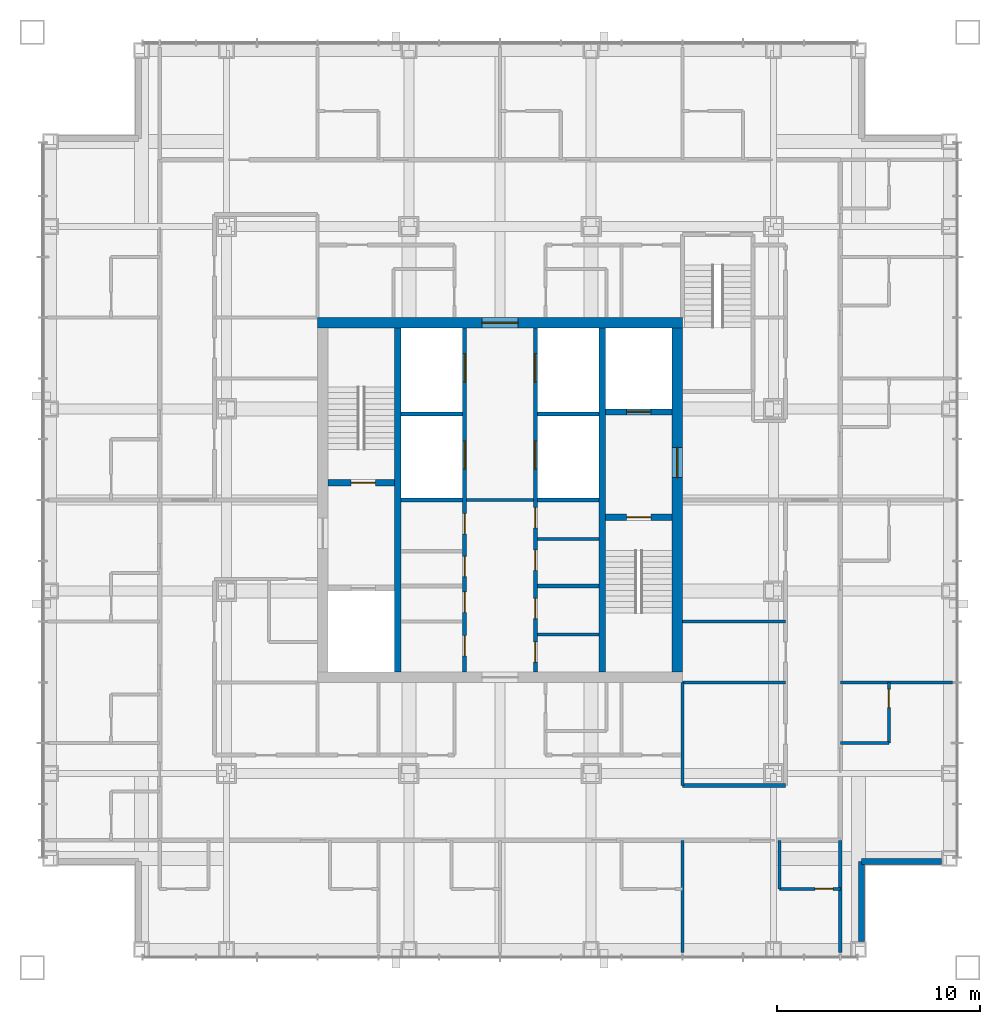
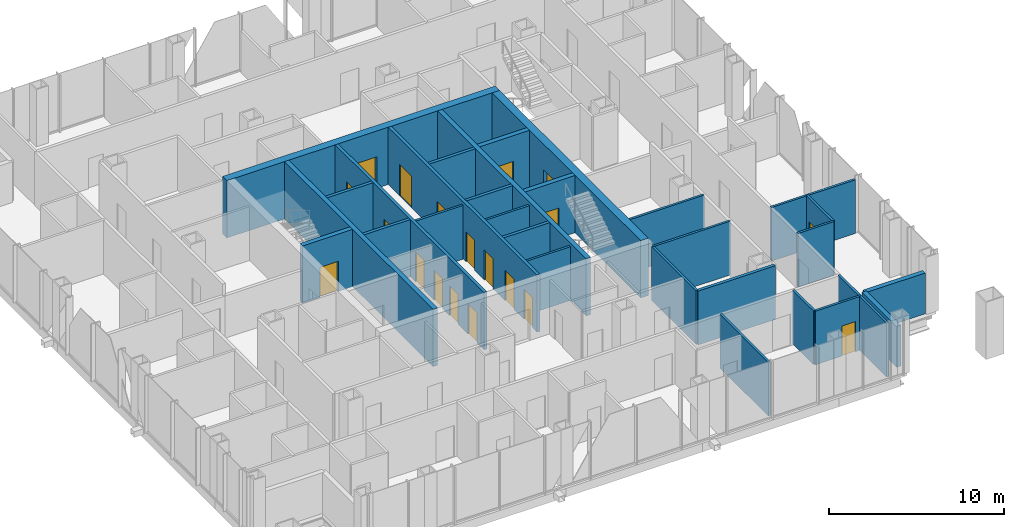
# One storey, part 9 of 17: 30 walls, 19 doors, 19 openings.
"""IFC4 building model written with IfcOpenShell, lengths in metres."""

import ifcopenshell
import ifcopenshell.guid

model = None  # the IFC model being written
_history = None  # IfcOwnerHistory: only IFC2X3 demands one
_inside = {}  # id of a spatial element -> (the spatial element, [elements in it])
_under = {}  # id of a project, library or spatial element -> (it, [spatial elements below it])
_declared = {}  # id of a project -> (the project, [libraries it declares])
_typed = {}  # id of a type object -> (the type object, [elements of that type])
_made_of = {}  # id of a material, layer set ... -> (it, [elements and type objects made of it])


def new_model(schema):
    """Start an empty IFC model of exactly this schema.

    Asked for "IFC4X3", IfcOpenShell would pick the latest addendum, in which some entities
    have other attributes; the version numbers below select the first issue.
    IFC2X3 requires an IfcOwnerHistory on every rooted entity: one is made here for all.
    """
    global model, _history
    if schema == "IFC4X3":
        model = ifcopenshell.file(schema_version=(4, 3, 0, 0))
    else:
        model = ifcopenshell.file(schema=schema)
    _inside.clear()
    _under.clear()
    _declared.clear()
    _typed.clear()
    _made_of.clear()
    _history = None
    if model.schema == "IFC2X3":
        org = make("IfcOrganization", Name="unknown")
        user = make(
            "IfcPersonAndOrganization",
            ThePerson=make("IfcPerson", FamilyName="unknown"),
            TheOrganization=org,
        )
        app = make(
            "IfcApplication",
            ApplicationDeveloper=org,
            Version="unknown",
            ApplicationFullName="unknown",
            ApplicationIdentifier="unknown",
        )
        _history = make(
            "IfcOwnerHistory",
            OwningUser=user,
            OwningApplication=app,
            ChangeAction="ADDED",
            CreationDate=0,
        )
    return model


def make(cls, **values):
    """One entity of the class cls with the attributes given. An attribute that is None is left unset."""
    return model.create_entity(
        cls, **{name: value for name, value in values.items() if value is not None}
    )


def rooted(cls, **values):
    """An entity with a GlobalId (a new one), such as an element, a storey or a relation."""
    return make(cls, GlobalId=ifcopenshell.guid.new(), OwnerHistory=_history, **values)


def si_unit(unit_type, name, prefix=None):
    """IfcSIUnit, for example si_unit("LENGTHUNIT", "METRE", prefix="MILLI")."""
    return make("IfcSIUnit", UnitType=unit_type, Prefix=prefix, Name=name)


def assignment(units):
    """IfcUnitAssignment: the units of a project."""
    return None if units is None else make("IfcUnitAssignment", Units=units)


def point(xyz):
    """IfcCartesianPoint."""
    return None if xyz is None else make("IfcCartesianPoint", Coordinates=xyz)


def direction(xyz):
    """IfcDirection."""
    return None if xyz is None else make("IfcDirection", DirectionRatios=xyz)


def frame(location, z_axis=None, x_axis=None):
    """IfcAxis2Placement3D, a coordinate frame: its origin and axes. An axis left out is left unset."""
    return make(
        "IfcAxis2Placement3D",
        Location=point(location),
        Axis=direction(z_axis),
        RefDirection=direction(x_axis),
    )


def frame_2d(location, x_axis=None):
    """IfcAxis2Placement2D, a coordinate frame in the plane: its origin and x axis."""
    return make(
        "IfcAxis2Placement2D", Location=point(location), RefDirection=direction(x_axis)
    )


def origin():
    """The frame at (0, 0, 0) with its axes left unset."""
    return frame((0.0, 0.0, 0.0))


def place(relative_to, where):
    """IfcLocalPlacement: puts the frame where relative to a parent placement (None: the world)."""
    return make(
        "IfcLocalPlacement", PlacementRelTo=relative_to, RelativePlacement=where
    )


def context(
    kind, dimensions, precision=None, world=None, true_north=None, identifier=None
):
    """IfcGeometricRepresentationContext, for example the 3D "Model" context."""
    return make(
        "IfcGeometricRepresentationContext",
        ContextIdentifier=identifier,
        ContextType=kind,
        CoordinateSpaceDimension=dimensions,
        Precision=precision,
        WorldCoordinateSystem=world,
        TrueNorth=true_north,
    )


def subcontext(parent, identifier, kind, view, scale=None):
    """IfcGeometricRepresentationSubContext, for example "Body" below "Model"."""
    return make(
        "IfcGeometricRepresentationSubContext",
        ContextIdentifier=identifier,
        ContextType=kind,
        ParentContext=parent,
        TargetScale=scale,
        TargetView=view,
    )


def project(units=None, contexts=None):
    """IfcProject with its units and contexts."""
    return rooted(
        "IfcProject",
        Name="project",
        RepresentationContexts=contexts,
        UnitsInContext=assignment(units),
    )


def spatial(cls, under=None, at=None, **own):
    """A site, building, storey or space (cls), placed at a placement, below another one or the project."""
    s = rooted(cls, ObjectPlacement=at, **own)
    if under is not None:
        _under.setdefault(under.id(), (under, []))[1].append(s)
    return s


def profile(cls, at=None, kind="AREA", **sizes):
    """A parametric profile (cls). Its sizes go by their IFC names, for example OverallWidth=200.0."""
    return make(cls, ProfileType=kind, Position=at, **sizes)


def rectangle(**sizes):
    """IfcRectangleProfileDef."""
    return profile("IfcRectangleProfileDef", **sizes)


def extrude(swept, where, along, depth):
    """IfcExtrudedAreaSolid: the profile swept, set in the frame where, extruded along a direction by depth."""
    return make(
        "IfcExtrudedAreaSolid",
        SweptArea=swept,
        Position=where,
        ExtrudedDirection=direction(along),
        Depth=depth,
    )


def shape(context_of_items, identifier, shape_type, items):
    """IfcShapeRepresentation: the items that make up one representation, for example the "Body"."""
    return make(
        "IfcShapeRepresentation",
        ContextOfItems=context_of_items,
        RepresentationIdentifier=identifier,
        RepresentationType=shape_type,
        Items=items,
    )


def material(Name=None, Category=None):
    """IfcMaterial."""
    return make("IfcMaterial", Name=Name, Category=Category)


def layer(
    of_material, thickness, ventilated=None, Name=None, Category=None, Priority=None
):
    """IfcMaterialLayer: one layer of a wall or slab, of a material (None: an air gap)."""
    return make(
        "IfcMaterialLayer",
        Material=of_material,
        LayerThickness=thickness,
        IsVentilated=ventilated,
        Name=Name,
        Category=Category,
        Priority=Priority,
    )


def layer_set(layers, Name=None):
    """IfcMaterialLayerSet."""
    return make("IfcMaterialLayerSet", MaterialLayers=layers, LayerSetName=Name)


def made_of(thing, what):
    """Note that an element or type object is made of a material, layer set ...; save() writes the relation."""
    if what is not None:
        _made_of.setdefault(what.id(), (what, []))[1].append(thing)
    return thing


def type_object(cls, material=None, **own):
    """A type object (cls), such as IfcWallType, which elements share."""
    return made_of(rooted(cls, **own), material)


def element(
    cls,
    number,
    at=None,
    inside=None,
    cuts=None,
    type_object=None,
    material=None,
    context=None,
    identifier="Body",
    shape_type=None,
    held_by="IfcProductDefinitionShape",
    body=None,
    shapes=None,
    **own,
):
    """One element of the class cls, such as IfcWall. Its Tag is "e" and its number.

    at: its placement. inside: the storey or other place that contains it. cuts: it is an
    opening in that element (IfcRelVoidsElement). A single representation is given by context,
    identifier, shape_type and body (its items); several are given by shapes. held_by: the class
    of the entity that holds the representations. save() writes the other relations.
    """
    e = rooted(cls, Tag="e%d" % number, ObjectPlacement=at, **own)
    if body is not None:
        shapes = [shape(context, identifier, shape_type, body)]
    if shapes is not None:
        e.Representation = make(held_by, Representations=shapes)
    if inside is not None:
        _inside.setdefault(inside.id(), (inside, []))[1].append(e)
    if cuts is not None:
        rooted(
            "IfcRelVoidsElement", RelatingBuildingElement=cuts, RelatedOpeningElement=e
        )
    if type_object is not None:
        _typed.setdefault(type_object.id(), (type_object, []))[1].append(e)
    return made_of(e, material)


def fill(opening, filler):
    """IfcRelFillsElement: the door or window that sits in an opening."""
    return rooted(
        "IfcRelFillsElement",
        RelatingOpeningElement=opening,
        RelatedBuildingElement=filler,
    )


def aggregate(whole, parts):
    """IfcRelAggregates: a whole, such as a stair, and the parts it consists of."""
    return rooted("IfcRelAggregates", RelatingObject=whole, RelatedObjects=parts)


def save(model, path):
    """Write the relations noted so far, then the file.

    IfcRelAggregates (storeys below a building ...), IfcRelContainedInSpatialStructure (elements
    in a storey), IfcRelDefinesByType, IfcRelAssociatesMaterial and IfcRelDeclares: one each for
    every whole, place, type object, material and project.
    """
    for whole, parts in _under.values():
        aggregate(whole, parts)
    for where, things in _inside.values():
        rooted(
            "IfcRelContainedInSpatialStructure",
            RelatedElements=things,
            RelatingStructure=where,
        )
    for kind, things in _typed.values():
        rooted("IfcRelDefinesByType", RelatedObjects=things, RelatingType=kind)
    for what, things in _made_of.values():
        rooted("IfcRelAssociatesMaterial", RelatedObjects=things, RelatingMaterial=what)
    for by, libraries in _declared.values():
        rooted("IfcRelDeclares", RelatingContext=by, RelatedDefinitions=libraries)
    model.write(path)


model = new_model("IFC4")

# Units and contexts
model_context = context("Model", 3, precision=1e-05, world=origin(), true_north=direction((0.0, 1.0)))
body_context = subcontext(model_context, "Body", "Model", "MODEL_VIEW")
ifc_project = project(units=[si_unit("LENGTHUNIT", "METRE"), si_unit("AREAUNIT", "SQUARE_METRE"), si_unit("VOLUMEUNIT", "CUBIC_METRE"), si_unit("PLANEANGLEUNIT", "RADIAN"), si_unit("MASSUNIT", "GRAM", prefix="KILO")], contexts=[model_context])

# Site, building, storey
site_placement = place(None, origin())
site = spatial("IfcSite", under=ifc_project, at=site_placement, CompositionType="ELEMENT")
building_placement = place(site_placement, origin())
building = spatial("IfcBuilding", under=site, at=building_placement, Name="Malebo Sky Hospital", CompositionType="ELEMENT")
storey_placement = place(building_placement, frame((0.0, 0.0, 237.0)))
storey = spatial("IfcBuildingStorey", under=building, at=storey_placement, Name="L57", CompositionType="ELEMENT", Elevation=237.0)

# Wall, openings, doors
ifc_material_1 = material(Name="Concrete C80/95", Category="concrete")
ifc_layer_1 = layer(ifc_material_1, 0.199951171875)
ifc_layer_set_1 = layer_set([ifc_layer_1], Name="CORE INNER WALL 200")
wall_type_1 = type_object("IfcWallType", Name="CORE INNER WALL 200", PredefinedType="SHEAR", material=ifc_layer_set_1)
wall_1_placement = place(storey_placement, frame((58.25, 53.5, 0.0), z_axis=(0.0, 0.0, 1.0), x_axis=(0.0, 1.0, 0.0)))
wall_1 = element("IfcWall", 1, at=wall_1_placement, inside=storey, type_object=wall_type_1, Name="Core wall LW L57", PredefinedType="SHEAR", context=body_context, shape_type="SweptSolid", body=[
    extrude(rectangle(XDim=17.0, YDim=0.199951171875, at=frame_2d((8.5, 0.0))), origin(), (0.0, 0.0, 1.0), 4.0),
])
opening_1_placement = place(wall_1_placement, frame((0.8076171875, 0.0, 0.0)))
opening_1 = element("IfcOpeningElement", 2, at=opening_1_placement, cuts=wall_1, Name="Opening D17", PredefinedType="OPENING", context=body_context, shape_type="SweptSolid", body=[
    extrude(rectangle(XDim=1.0, YDim=2.10009765625, at=frame_2d((0.5, 1.050048828125))), frame((0.0, 0.10986328125, 0.0), z_axis=(0.0, -1.0, 0.0), x_axis=(1.0, 0.0, 0.0)), (0.0, 0.0, 1.0), 0.219970703125),
])
opening_2_placement = place(wall_1_placement, frame((2.95751953125, 0.0, 0.0)))
opening_2 = element("IfcOpeningElement", 3, at=opening_2_placement, cuts=wall_1, Name="Opening D17", PredefinedType="OPENING", context=body_context, shape_type="SweptSolid", body=[
    extrude(rectangle(XDim=1.0, YDim=2.10009765625, at=frame_2d((0.5, 1.050048828125))), frame((0.0, 0.10986328125, 0.0), z_axis=(0.0, -1.0, 0.0), x_axis=(1.0, 0.0, 0.0)), (0.0, 0.0, 1.0), 0.219970703125),
])
opening_3_placement = place(wall_1_placement, frame((4.722412109375, 0.0, 0.0)))
opening_3 = element("IfcOpeningElement", 4, at=opening_3_placement, cuts=wall_1, Name="Opening D17", PredefinedType="OPENING", context=body_context, shape_type="SweptSolid", body=[
    extrude(rectangle(XDim=1.0, YDim=2.10009765625, at=frame_2d((0.5, 1.050048828125))), frame((0.0, 0.10986328125, 0.0), z_axis=(0.0, -1.0, 0.0), x_axis=(1.0, 0.0, 0.0)), (0.0, 0.0, 1.0), 0.219970703125),
])
opening_4_placement = place(wall_1_placement, frame((6.822509765625, 0.0, 0.0)))
opening_4 = element("IfcOpeningElement", 5, at=opening_4_placement, cuts=wall_1, Name="Opening D17", PredefinedType="OPENING", context=body_context, shape_type="SweptSolid", body=[
    extrude(rectangle(XDim=1.0, YDim=2.10009765625, at=frame_2d((0.5, 1.050048828125))), frame((0.0, 0.10986328125, 0.0), z_axis=(0.0, -1.0, 0.0), x_axis=(1.0, 0.0, 0.0)), (0.0, 0.0, 1.0), 0.219970703125),
])
opening_5_placement = place(wall_1_placement, frame((10.02490234375, 0.0, 0.0)))
opening_5 = element("IfcOpeningElement", 6, at=opening_5_placement, cuts=wall_1, Name="Opening LD1", PredefinedType="OPENING", context=body_context, shape_type="SweptSolid", body=[
    extrude(rectangle(XDim=1.39990234375, YDim=2.199951171875, at=frame_2d((0.699951171875, 1.10009765625))), frame((0.0, 0.10986328125, 0.0), z_axis=(0.0, -1.0, 0.0), x_axis=(1.0, 0.0, 0.0)), (0.0, 0.0, 1.0), 0.219970703125),
])
opening_6_placement = place(wall_1_placement, frame((14.324951171875, 0.0, 0.0)))
opening_6 = element("IfcOpeningElement", 7, at=opening_6_placement, cuts=wall_1, Name="Opening LD1", PredefinedType="OPENING", context=body_context, shape_type="SweptSolid", body=[
    extrude(rectangle(XDim=1.39990234375, YDim=2.199951171875, at=frame_2d((0.699951171875, 1.10009765625))), frame((0.0, 0.10986328125, 0.0), z_axis=(0.0, -1.0, 0.0), x_axis=(1.0, 0.0, 0.0)), (0.0, 0.0, 1.0), 0.219970703125),
])
ifc_material_2 = material(Name="Hardwood-faced door leaf in steel frame", Category="steel")
door_type_1 = type_object("IfcDoorType", Name="FIRE DOOR 1000", OperationType="SINGLE_SWING_LEFT", PredefinedType="DOOR", material=ifc_material_2)
door_1_placement = place(opening_1_placement, origin())
door_1 = element("IfcDoor", 8, at=door_1_placement, inside=storey, type_object=door_type_1, Name="Records store door", OperationType="SINGLE_SWING_RIGHT", OverallHeight=2.10009765625, OverallWidth=1.0, PredefinedType="DOOR", context=body_context, shape_type="SweptSolid", body=[
    extrude(rectangle(XDim=1.0, YDim=2.10009765625, at=frame_2d((0.5, 1.050048828125))), frame((0.0, 0.02490234375, 0.0), z_axis=(0.0, -1.0, 0.0), x_axis=(1.0, 0.0, 0.0)), (0.0, 0.0, 1.0), 0.050048828125),
])
fill(opening_1, door_1)
door_2_placement = place(opening_2_placement, origin())
door_2 = element("IfcDoor", 9, at=door_2_placement, inside=storey, type_object=door_type_1, Name="Equipment store door", OperationType="SINGLE_SWING_RIGHT", OverallHeight=2.10009765625, OverallWidth=1.0, PredefinedType="DOOR", context=body_context, shape_type="SweptSolid", body=[
    extrude(rectangle(XDim=1.0, YDim=2.10009765625, at=frame_2d((0.5, 1.050048828125))), frame((0.0, 0.02490234375, 0.0), z_axis=(0.0, -1.0, 0.0), x_axis=(1.0, 0.0, 0.0)), (0.0, 0.0, 1.0), 0.050048828125),
])
fill(opening_2, door_2)
door_3_placement = place(opening_3_placement, origin())
door_3 = element("IfcDoor", 10, at=door_3_placement, inside=storey, type_object=door_type_1, Name="Linen store door", OperationType="SINGLE_SWING_RIGHT", OverallHeight=2.10009765625, OverallWidth=1.0, PredefinedType="DOOR", context=body_context, shape_type="SweptSolid", body=[
    extrude(rectangle(XDim=1.0, YDim=2.10009765625, at=frame_2d((0.5, 1.050048828125))), frame((0.0, 0.02490234375, 0.0), z_axis=(0.0, -1.0, 0.0), x_axis=(1.0, 0.0, 0.0)), (0.0, 0.0, 1.0), 0.050048828125),
])
fill(opening_3, door_3)
door_4_placement = place(opening_4_placement, origin())
door_4 = element("IfcDoor", 11, at=door_4_placement, inside=storey, type_object=door_type_1, Name="Supplies store door", OperationType="SINGLE_SWING_RIGHT", OverallHeight=2.10009765625, OverallWidth=1.0, PredefinedType="DOOR", context=body_context, shape_type="SweptSolid", body=[
    extrude(rectangle(XDim=1.0, YDim=2.10009765625, at=frame_2d((0.5, 1.050048828125))), frame((0.0, 0.02490234375, 0.0), z_axis=(0.0, -1.0, 0.0), x_axis=(1.0, 0.0, 0.0)), (0.0, 0.0, 1.0), 0.050048828125),
])
fill(opening_4, door_4)
ifc_material_3 = material(Name="Stainless steel sliding landing door", Category="steel")
door_type_2 = type_object("IfcDoorType", Name="LIFT LANDING DOOR 1400", OperationType="SLIDING_TO_LEFT", PredefinedType="DOOR", material=ifc_material_3)
door_5_placement = place(opening_5_placement, origin())
door_5 = element("IfcDoor", 12, at=door_5_placement, inside=storey, type_object=door_type_2, Name="Lift W3 landing door", OperationType="SLIDING_TO_LEFT", OverallHeight=2.199951171875, OverallWidth=1.39990234375, PredefinedType="DOOR", context=body_context, shape_type="SweptSolid", body=[
    extrude(rectangle(XDim=1.39990234375, YDim=2.199951171875, at=frame_2d((0.699951171875, 1.10009765625))), frame((0.0, 0.02490234375, 0.0), z_axis=(0.0, -1.0, 0.0), x_axis=(1.0, 0.0, 0.0)), (0.0, 0.0, 1.0), 0.050048828125),
])
fill(opening_5, door_5)
door_6_placement = place(opening_6_placement, origin())
door_6 = element("IfcDoor", 13, at=door_6_placement, inside=storey, type_object=door_type_2, Name="Lift W4 landing door", OperationType="SLIDING_TO_LEFT", OverallHeight=2.199951171875, OverallWidth=1.39990234375, PredefinedType="DOOR", context=body_context, shape_type="SweptSolid", body=[
    extrude(rectangle(XDim=1.39990234375, YDim=2.199951171875, at=frame_2d((0.699951171875, 1.10009765625))), frame((0.0, 0.02490234375, 0.0), z_axis=(0.0, -1.0, 0.0), x_axis=(1.0, 0.0, 0.0)), (0.0, 0.0, 1.0), 0.050048828125),
])
fill(opening_6, door_6)

wall_2_placement = place(storey_placement, frame((61.75, 53.5, 0.0), z_axis=(0.0, 0.0, 1.0), x_axis=(0.0, 1.0, 0.0)))
wall_2 = element("IfcWall", 14, at=wall_2_placement, inside=storey, type_object=wall_type_1, Name="Core wall LE L57", PredefinedType="SHEAR", context=body_context, shape_type="SweptSolid", body=[
    extrude(rectangle(XDim=17.0, YDim=0.199951171875, at=frame_2d((8.5, 0.0))), origin(), (0.0, 0.0, 1.0), 4.0),
])
opening_7_placement = place(wall_2_placement, frame((0.49609375, 0.0, 0.0)))
opening_7 = element("IfcOpeningElement", 15, at=opening_7_placement, cuts=wall_2, Name="Opening D17", PredefinedType="OPENING", context=body_context, shape_type="SweptSolid", body=[
    extrude(rectangle(XDim=1.0, YDim=2.10009765625, at=frame_2d((0.5, 1.050048828125))), frame((0.0, 0.10986328125, 0.0), z_axis=(0.0, -1.0, 0.0), x_axis=(1.0, 0.0, 0.0)), (0.0, 0.0, 1.0), 0.219970703125),
])
opening_8_placement = place(wall_2_placement, frame((2.64599609375, 0.0, 0.0)))
opening_8 = element("IfcOpeningElement", 16, at=opening_8_placement, cuts=wall_2, Name="Opening D17", PredefinedType="OPENING", context=body_context, shape_type="SweptSolid", body=[
    extrude(rectangle(XDim=1.0, YDim=2.10009765625, at=frame_2d((0.5, 1.050048828125))), frame((0.0, 0.10986328125, 0.0), z_axis=(0.0, -1.0, 0.0), x_axis=(1.0, 0.0, 0.0)), (0.0, 0.0, 1.0), 0.219970703125),
])
opening_9_placement = place(wall_2_placement, frame((5.026611328125, 0.0, 0.0)))
opening_9 = element("IfcOpeningElement", 17, at=opening_9_placement, cuts=wall_2, Name="Opening D17", PredefinedType="OPENING", context=body_context, shape_type="SweptSolid", body=[
    extrude(rectangle(XDim=1.0, YDim=2.10009765625, at=frame_2d((0.5, 1.050048828125))), frame((0.0, 0.10986328125, 0.0), z_axis=(0.0, -1.0, 0.0), x_axis=(1.0, 0.0, 0.0)), (0.0, 0.0, 1.0), 0.219970703125),
])
opening_10_placement = place(wall_2_placement, frame((7.12646484375, 0.0, 0.0)))
opening_10 = element("IfcOpeningElement", 18, at=opening_10_placement, cuts=wall_2, Name="Opening D17", PredefinedType="OPENING", context=body_context, shape_type="SweptSolid", body=[
    extrude(rectangle(XDim=1.0, YDim=2.10009765625, at=frame_2d((0.5, 1.050048828125))), frame((0.0, 0.10986328125, 0.0), z_axis=(0.0, -1.0, 0.0), x_axis=(1.0, 0.0, 0.0)), (0.0, 0.0, 1.0), 0.219970703125),
])
opening_11_placement = place(wall_2_placement, frame((10.02490234375, 0.0, 0.0)))
opening_11 = element("IfcOpeningElement", 19, at=opening_11_placement, cuts=wall_2, Name="Opening LD1", PredefinedType="OPENING", context=body_context, shape_type="SweptSolid", body=[
    extrude(rectangle(XDim=1.39990234375, YDim=2.199951171875, at=frame_2d((0.699951171875, 1.10009765625))), frame((0.0, 0.10986328125, 0.0), z_axis=(0.0, -1.0, 0.0), x_axis=(1.0, 0.0, 0.0)), (0.0, 0.0, 1.0), 0.219970703125),
])
opening_12_placement = place(wall_2_placement, frame((14.324951171875, 0.0, 0.0)))
opening_12 = element("IfcOpeningElement", 20, at=opening_12_placement, cuts=wall_2, Name="Opening LD1", PredefinedType="OPENING", context=body_context, shape_type="SweptSolid", body=[
    extrude(rectangle(XDim=1.39990234375, YDim=2.199951171875, at=frame_2d((0.699951171875, 1.10009765625))), frame((0.0, 0.10986328125, 0.0), z_axis=(0.0, -1.0, 0.0), x_axis=(1.0, 0.0, 0.0)), (0.0, 0.0, 1.0), 0.219970703125),
])
door_7_placement = place(opening_7_placement, origin())
door_7 = element("IfcDoor", 21, at=door_7_placement, inside=storey, type_object=door_type_1, Name="Mattress store door", OperationType="SINGLE_SWING_RIGHT", OverallHeight=2.10009765625, OverallWidth=1.0, PredefinedType="DOOR", context=body_context, shape_type="SweptSolid", body=[
    extrude(rectangle(XDim=1.0, YDim=2.10009765625, at=frame_2d((0.5, 1.050048828125))), frame((0.0, 0.02490234375, 0.0), z_axis=(0.0, -1.0, 0.0), x_axis=(1.0, 0.0, 0.0)), (0.0, 0.0, 1.0), 0.050048828125),
])
fill(opening_7, door_7)
door_8_placement = place(opening_8_placement, origin())
door_8 = element("IfcDoor", 22, at=door_8_placement, inside=storey, type_object=door_type_1, Name="Cleaning equipment store door", OperationType="SINGLE_SWING_RIGHT", OverallHeight=2.10009765625, OverallWidth=1.0, PredefinedType="DOOR", context=body_context, shape_type="SweptSolid", body=[
    extrude(rectangle(XDim=1.0, YDim=2.10009765625, at=frame_2d((0.5, 1.050048828125))), frame((0.0, 0.02490234375, 0.0), z_axis=(0.0, -1.0, 0.0), x_axis=(1.0, 0.0, 0.0)), (0.0, 0.0, 1.0), 0.050048828125),
])
fill(opening_8, door_8)
door_9_placement = place(opening_9_placement, origin())
door_9 = element("IfcDoor", 23, at=door_9_placement, inside=storey, type_object=door_type_1, Name="Archive store door", OperationType="SINGLE_SWING_RIGHT", OverallHeight=2.10009765625, OverallWidth=1.0, PredefinedType="DOOR", context=body_context, shape_type="SweptSolid", body=[
    extrude(rectangle(XDim=1.0, YDim=2.10009765625, at=frame_2d((0.5, 1.050048828125))), frame((0.0, 0.02490234375, 0.0), z_axis=(0.0, -1.0, 0.0), x_axis=(1.0, 0.0, 0.0)), (0.0, 0.0, 1.0), 0.050048828125),
])
fill(opening_9, door_9)
door_10_placement = place(opening_10_placement, origin())
door_10 = element("IfcDoor", 24, at=door_10_placement, inside=storey, type_object=door_type_1, Name="General store door", OperationType="SINGLE_SWING_RIGHT", OverallHeight=2.10009765625, OverallWidth=1.0, PredefinedType="DOOR", context=body_context, shape_type="SweptSolid", body=[
    extrude(rectangle(XDim=1.0, YDim=2.10009765625, at=frame_2d((0.5, 1.050048828125))), frame((0.0, 0.02490234375, 0.0), z_axis=(0.0, -1.0, 0.0), x_axis=(1.0, 0.0, 0.0)), (0.0, 0.0, 1.0), 0.050048828125),
])
fill(opening_10, door_10)
door_11_placement = place(opening_11_placement, origin())
door_11 = element("IfcDoor", 25, at=door_11_placement, inside=storey, type_object=door_type_2, Name="Lift E3 landing door", OperationType="SLIDING_TO_LEFT", OverallHeight=2.199951171875, OverallWidth=1.39990234375, PredefinedType="DOOR", context=body_context, shape_type="SweptSolid", body=[
    extrude(rectangle(XDim=1.39990234375, YDim=2.199951171875, at=frame_2d((0.699951171875, 1.10009765625))), frame((0.0, 0.02490234375, 0.0), z_axis=(0.0, -1.0, 0.0), x_axis=(1.0, 0.0, 0.0)), (0.0, 0.0, 1.0), 0.050048828125),
])
fill(opening_11, door_11)
door_12_placement = place(opening_12_placement, origin())
door_12 = element("IfcDoor", 26, at=door_12_placement, inside=storey, type_object=door_type_2, Name="Lift E4 landing door", OperationType="SLIDING_TO_LEFT", OverallHeight=2.199951171875, OverallWidth=1.39990234375, PredefinedType="DOOR", context=body_context, shape_type="SweptSolid", body=[
    extrude(rectangle(XDim=1.39990234375, YDim=2.199951171875, at=frame_2d((0.699951171875, 1.10009765625))), frame((0.0, 0.02490234375, 0.0), z_axis=(0.0, -1.0, 0.0), x_axis=(1.0, 0.0, 0.0)), (0.0, 0.0, 1.0), 0.050048828125),
])
fill(opening_12, door_12)

# Walls
for number, where, z_axis, x_axis, name in (
    (27, (61.85009765625, 57.75, 0.0), (0.0, 0.0, 1.0), (1.0, 0.0, 0.0), "Core wall SE0 L57"),
    (28, (55.10009765625, 62.0, 0.0), (0.0, 0.0, 1.0), (1.0, 0.0, 0.0), "Core wall SW1 L57"),
    (29, (61.85009765625, 62.0, 0.0), (0.0, 0.0, 1.0), (1.0, 0.0, 0.0), "Core wall SE1 L57"),
    (30, (55.10009765625, 66.25, 0.0), (0.0, 0.0, 1.0), (1.0, 0.0, 0.0), "Core wall SW2 L57"),
    (31, (61.85009765625, 66.25, 0.0), (0.0, 0.0, 1.0), (1.0, 0.0, 0.0), "Core wall SE2 L57"),
):
    element("IfcWall", number, at=place(storey_placement, frame(where, z_axis=z_axis, x_axis=x_axis)), inside=storey, type_object=wall_type_1, Name=name, PredefinedType="SHEAR", context=body_context, shape_type="SweptSolid", body=[
        extrude(rectangle(XDim=3.0498046875, YDim=0.199951171875, at=frame_2d((1.52490234375, 0.0))), origin(), (0.0, 0.0, 1.0), 4.0),
    ])
ifc_layer_2 = layer(ifc_material_1, 0.300048828125)
ifc_layer_set_2 = layer_set([ifc_layer_2], Name="CORE INNER WALL 300")
wall_type_2 = type_object("IfcWallType", Name="CORE INNER WALL 300", PredefinedType="SHEAR", material=ifc_layer_set_2)
for number, where, z_axis, x_axis, name in (
    (32, (54.949951171875, 53.5, 0.0), (0.0, 0.0, 1.0), (0.0, 1.0, 0.0), "Core wall XW L57"),
    (33, (65.050048828125, 53.5, 0.0), (0.0, 0.0, 1.0), (0.0, 1.0, 0.0), "Core wall XE L57"),
):
    element("IfcWall", number, at=place(storey_placement, frame(where, z_axis=z_axis, x_axis=x_axis)), inside=storey, type_object=wall_type_2, Name=name, PredefinedType="SHEAR", context=body_context, shape_type="SweptSolid", body=[
        extrude(rectangle(XDim=17.0, YDim=0.300048828125, at=frame_2d((8.5, 0.0))), origin(), (0.0, 0.0, 1.0), 4.0),
    ])

# Wall, opening, door
wall_3_placement = place(storey_placement, frame((51.5, 62.85009765625, 0.0), z_axis=(0.0, 0.0, 1.0), x_axis=(1.0, 0.0, 0.0)))
wall_3 = element("IfcWall", 34, at=wall_3_placement, inside=storey, type_object=wall_type_2, Name="Core wall W1 L57", PredefinedType="SHEAR", context=body_context, shape_type="SweptSolid", body=[
    extrude(rectangle(XDim=3.300048828125, YDim=0.300048828125, at=frame_2d((1.64990234375, 0.0))), origin(), (0.0, 0.0, 1.0), 4.0),
])
opening_13_placement = place(wall_3_placement, frame((1.14990234375, 0.0, 0.0)))
opening_13 = element("IfcOpeningElement", 35, at=opening_13_placement, cuts=wall_3, Name="Opening D08", PredefinedType="OPENING", context=body_context, shape_type="SweptSolid", body=[
    extrude(rectangle(XDim=1.199951171875, YDim=2.10009765625, at=frame_2d((0.60009765625, 1.050048828125))), frame((0.0, 0.159912109375, 0.0), z_axis=(0.0, -1.0, 0.0), x_axis=(1.0, 0.0, 0.0)), (0.0, 0.0, 1.0), 0.320068359375),
])
door_type_3 = type_object("IfcDoorType", Name="STAIR DOOR 1200", OperationType="SINGLE_SWING_LEFT", PredefinedType="DOOR", material=ifc_material_2)
door_13_placement = place(opening_13_placement, origin())
door_13 = element("IfcDoor", 36, at=door_13_placement, inside=storey, type_object=door_type_3, Name="Stair S1 door", OperationType="SINGLE_SWING_RIGHT", OverallHeight=2.10009765625, OverallWidth=1.199951171875, PredefinedType="DOOR", context=body_context, shape_type="SweptSolid", body=[
    extrude(rectangle(XDim=1.199951171875, YDim=2.10009765625, at=frame_2d((0.60009765625, 1.050048828125))), frame((0.0, 0.02490234375, 0.0), z_axis=(0.0, -1.0, 0.0), x_axis=(1.0, 0.0, 0.0)), (0.0, 0.0, 1.0), 0.050048828125),
])
fill(opening_13, door_13)

wall_4_placement = place(storey_placement, frame((65.199951171875, 61.14990234375, 0.0), z_axis=(0.0, 0.0, 1.0), x_axis=(1.0, 0.0, 0.0)))
wall_4 = element("IfcWall", 37, at=wall_4_placement, inside=storey, type_object=wall_type_2, Name="Core wall E1 L57", PredefinedType="SHEAR", context=body_context, shape_type="SweptSolid", body=[
    extrude(rectangle(XDim=3.300048828125, YDim=0.300048828125, at=frame_2d((1.64990234375, 0.0))), origin(), (0.0, 0.0, 1.0), 4.0),
])
opening_14_placement = place(wall_4_placement, frame((1.050048828125, 0.0, 0.0)))
opening_14 = element("IfcOpeningElement", 38, at=opening_14_placement, cuts=wall_4, Name="Opening D08", PredefinedType="OPENING", context=body_context, shape_type="SweptSolid", body=[
    extrude(rectangle(XDim=1.199951171875, YDim=2.10009765625, at=frame_2d((0.60009765625, 1.050048828125))), frame((0.0, 0.159912109375, 0.0), z_axis=(0.0, -1.0, 0.0), x_axis=(1.0, 0.0, 0.0)), (0.0, 0.0, 1.0), 0.320068359375),
])
door_14_placement = place(opening_14_placement, origin())
door_14 = element("IfcDoor", 39, at=door_14_placement, inside=storey, type_object=door_type_3, Name="Stair S2 door", OperationType="SINGLE_SWING_LEFT", OverallHeight=2.10009765625, OverallWidth=1.199951171875, PredefinedType="DOOR", context=body_context, shape_type="SweptSolid", body=[
    extrude(rectangle(XDim=1.199951171875, YDim=2.10009765625, at=frame_2d((0.60009765625, 1.050048828125))), frame((0.0, 0.02490234375, 0.0), z_axis=(0.0, -1.0, 0.0), x_axis=(1.0, 0.0, 0.0)), (0.0, 0.0, 1.0), 0.050048828125),
])
fill(opening_14, door_14)

wall_5_placement = place(storey_placement, frame((65.199951171875, 66.35009765625, 0.0), z_axis=(0.0, 0.0, 1.0), x_axis=(1.0, 0.0, 0.0)))
wall_5 = element("IfcWall", 40, at=wall_5_placement, inside=storey, type_object=wall_type_2, Name="Core wall E2 L57", PredefinedType="SHEAR", context=body_context, shape_type="SweptSolid", body=[
    extrude(rectangle(XDim=3.300048828125, YDim=0.300048828125, at=frame_2d((1.64990234375, 0.0))), origin(), (0.0, 0.0, 1.0), 4.0),
])
opening_15_placement = place(wall_5_placement, frame((1.050048828125, 0.0, 0.0)))
opening_15 = element("IfcOpeningElement", 41, at=opening_15_placement, cuts=wall_5, Name="Opening LD2", PredefinedType="OPENING", context=body_context, shape_type="SweptSolid", body=[
    extrude(rectangle(XDim=1.199951171875, YDim=2.199951171875, at=frame_2d((0.60009765625, 1.10009765625))), frame((0.0, 0.159912109375, 0.0), z_axis=(0.0, -1.0, 0.0), x_axis=(1.0, 0.0, 0.0)), (0.0, 0.0, 1.0), 0.320068359375),
])
door_type_4 = type_object("IfcDoorType", Name="FIRE-FIGHTING LIFT LANDING DOOR 1200", OperationType="SLIDING_TO_LEFT", PredefinedType="DOOR", material=ifc_material_3)
door_15_placement = place(opening_15_placement, origin())
door_15 = element("IfcDoor", 42, at=door_15_placement, inside=storey, type_object=door_type_4, Name="Lift FL2 landing door", OperationType="SLIDING_TO_LEFT", OverallHeight=2.199951171875, OverallWidth=1.199951171875, PredefinedType="DOOR", context=body_context, shape_type="SweptSolid", body=[
    extrude(rectangle(XDim=1.199951171875, YDim=2.199951171875, at=frame_2d((0.60009765625, 1.10009765625))), frame((0.0, 0.02490234375, 0.0), z_axis=(0.0, -1.0, 0.0), x_axis=(1.0, 0.0, 0.0)), (0.0, 0.0, 1.0), 0.050048828125),
])
fill(opening_15, door_15)

ifc_layer_3 = layer(ifc_material_1, 0.5)
ifc_layer_set_3 = layer_set([ifc_layer_3], Name="CORE WALL 500")
wall_type_3 = type_object("IfcWallType", Name="CORE WALL 500", PredefinedType="SHEAR", material=ifc_layer_set_3)
wall_6_placement = place(storey_placement, frame((51.0, 70.75, 0.0), z_axis=(0.0, 0.0, 1.0), x_axis=(1.0, 0.0, 0.0)))
wall_6 = element("IfcWall", 43, at=wall_6_placement, inside=storey, type_object=wall_type_3, Name="Core wall N L57", PredefinedType="SHEAR", context=body_context, shape_type="SweptSolid", body=[
    extrude(rectangle(XDim=18.0, YDim=0.5, at=frame_2d((9.0, 0.0))), origin(), (0.0, 0.0, 1.0), 4.0),
])
opening_16_placement = place(wall_6_placement, frame((8.10009765625, 0.0, 0.0)))
opening_16 = element("IfcOpeningElement", 44, at=opening_16_placement, cuts=wall_6, Name="Opening D06", PredefinedType="OPENING", context=body_context, shape_type="SweptSolid", body=[
    extrude(rectangle(XDim=1.800048828125, YDim=2.199951171875, at=frame_2d((0.89990234375, 1.10009765625))), frame((0.0, 0.260009765625, 0.0), z_axis=(0.0, -1.0, 0.0), x_axis=(1.0, 0.0, 0.0)), (0.0, 0.0, 1.0), 0.52001953125),
])
door_type_5 = type_object("IfcDoorType", Name="LOBBY DOOR PAIR 1800", OperationType="DOUBLE_DOOR_SINGLE_SWING", PredefinedType="DOOR", material=ifc_material_2)
door_16_placement = place(opening_16_placement, origin())
door_16 = element("IfcDoor", 45, at=door_16_placement, inside=storey, type_object=door_type_5, Name="Lift lobby door north", OperationType="DOUBLE_DOOR_SINGLE_SWING", OverallHeight=2.199951171875, OverallWidth=1.800048828125, PredefinedType="DOOR", context=body_context, shape_type="SweptSolid", body=[
    extrude(rectangle(XDim=1.800048828125, YDim=2.199951171875, at=frame_2d((0.89990234375, 1.10009765625))), frame((0.0, 0.02490234375, 0.0), z_axis=(0.0, -1.0, 0.0), x_axis=(1.0, 0.0, 0.0)), (0.0, 0.0, 1.0), 0.050048828125),
])
fill(opening_16, door_16)

wall_7_placement = place(storey_placement, frame((68.75, 53.5, 0.0), z_axis=(0.0, 0.0, 1.0), x_axis=(0.0, 1.0, 0.0)))
wall_7 = element("IfcWall", 46, at=wall_7_placement, inside=storey, type_object=wall_type_3, Name="Core wall E L57", PredefinedType="SHEAR", context=body_context, shape_type="SweptSolid", body=[
    extrude(rectangle(XDim=17.0, YDim=0.5, at=frame_2d((8.5, 0.0))), origin(), (0.0, 0.0, 1.0), 4.0),
])
opening_17_placement = place(wall_7_placement, frame((9.60009765625, 0.0, 0.0)))
opening_17 = element("IfcOpeningElement", 47, at=opening_17_placement, cuts=wall_7, Name="Opening D07", PredefinedType="OPENING", context=body_context, shape_type="SweptSolid", body=[
    extrude(rectangle(XDim=1.5, YDim=2.199951171875, at=frame_2d((0.75, 1.10009765625))), frame((0.0, 0.260009765625, 0.0), z_axis=(0.0, -1.0, 0.0), x_axis=(1.0, 0.0, 0.0)), (0.0, 0.0, 1.0), 0.52001953125),
])
door_type_6 = type_object("IfcDoorType", Name="FIRE-FIGHTING LOBBY DOOR PAIR 1500", OperationType="DOUBLE_DOOR_SINGLE_SWING", PredefinedType="DOOR", material=ifc_material_2)
door_17_placement = place(opening_17_placement, origin())
door_17 = element("IfcDoor", 48, at=door_17_placement, inside=storey, type_object=door_type_6, Name="Fire-fighting lobby door east", OperationType="DOUBLE_DOOR_SINGLE_SWING", OverallHeight=2.199951171875, OverallWidth=1.5, PredefinedType="DOOR", context=body_context, shape_type="SweptSolid", body=[
    extrude(rectangle(XDim=1.5, YDim=2.199951171875, at=frame_2d((0.75, 1.10009765625))), frame((0.0, 0.02490234375, 0.0), z_axis=(0.0, -1.0, 0.0), x_axis=(1.0, 0.0, 0.0)), (0.0, 0.0, 1.0), 0.050048828125),
])
fill(opening_17, door_17)

# Walls
ifc_material_4 = material(Name="Gypsum board on steel studs", Category="steel")
ifc_layer_4 = layer(ifc_material_4, 0.199951171875)
ifc_layer_set_4 = layer_set([ifc_layer_4], Name="CORRIDOR WALL 200")
wall_type_4 = type_object("IfcWallType", Name="CORRIDOR WALL 200", PredefinedType="PARTITIONING", material=ifc_layer_set_4)
wall_8_placement = place(storey_placement, frame((74.10009765625, 47.89990234375, 0.0), z_axis=(0.0, 0.0, 1.0), x_axis=(-1.0, 0.0, 0.0)))
element("IfcWall", 49, at=wall_8_placement, inside=storey, type_object=wall_type_4, Name="Corridor Wall 200 SCIK", PredefinedType="PARTITIONING", context=body_context, shape_type="SweptSolid", body=[
    extrude(rectangle(XDim=5.10009765625, YDim=0.199951171875, at=frame_2d((2.550048828125, 0.0))), origin(), (0.0, 0.0, 1.0), 3.75),
])
ifc_material_5 = material(Name="Anodised aluminium rainscreen on steel framing", Category="steel")
ifc_layer_5 = layer(ifc_material_5, 0.300048828125)
ifc_layer_set_5 = layer_set([ifc_layer_5], Name="NOTCH RAINSCREEN WALL 300")
wall_type_5 = type_object("IfcWallType", Name="NOTCH RAINSCREEN WALL 300", PredefinedType="ELEMENTEDWALL", material=ifc_layer_set_5)
for number, where, z_axis, x_axis, name in (
    (50, (81.800048828125, 44.14990234375, 0.0), (0.0, 0.0, 1.0), (-1.0, 0.0, 0.0), "Notch rainscreen wall E1 L57"),
    (51, (77.85009765625, 44.14990234375, 0.0), (0.0, 0.0, 1.0), (0.0, -1.0, 0.0), "Notch rainscreen wall E2 L57"),
):
    element("IfcWall", number, at=place(storey_placement, frame(where, z_axis=z_axis, x_axis=x_axis)), inside=storey, type_object=wall_type_5, Name=name, PredefinedType="ELEMENTEDWALL", context=body_context, shape_type="SweptSolid", body=[
        extrude(rectangle(XDim=3.949951171875, YDim=0.300048828125, at=frame_2d((1.97509765625, 0.0))), origin(), (0.0, 0.0, 1.0), 2.85009765625),
    ])
ifc_layer_6 = layer(ifc_material_4, 0.14990234375)
ifc_layer_set_6 = layer_set([ifc_layer_6], Name="PARTITION 150")
wall_type_6 = type_object("IfcWallType", Name="PARTITION 150", PredefinedType="PARTITIONING", material=ifc_layer_set_6)
for number, where, z_axis, x_axis, name in (
    (52, (69.0, 45.199951171875, 0.0), (0.0, 0.0, 1.0), (0.0, -1.0, 0.0), "Partition 150 SP-9.0"),
    (53, (76.800048828125, 45.199951171875, 0.0), (0.0, 0.0, 1.0), (0.0, -1.0, 0.0), "Partition 150 SP0"),
):
    element("IfcWall", number, at=place(storey_placement, frame(where, z_axis=z_axis, x_axis=x_axis)), inside=storey, type_object=wall_type_6, Name=name, PredefinedType="PARTITIONING", context=body_context, shape_type="SweptSolid", body=[
        extrude(rectangle(XDim=5.550048828125, YDim=0.14990234375, at=frame_2d((2.77490234375, 0.0))), origin(), (0.0, 0.0, 1.0), 3.75),
    ])

# Wall, opening, door
wall_9_placement = place(storey_placement, frame((76.800048828125, 42.800048828125, 0.0), z_axis=(0.0, 0.0, 1.0), x_axis=(-1.0, 0.0, 0.0)))
wall_9 = element("IfcWall", 54, at=wall_9_placement, inside=storey, type_object=wall_type_6, Name="Partition 150 SE0F", PredefinedType="PARTITIONING", context=body_context, shape_type="SweptSolid", body=[
    extrude(rectangle(XDim=3.0, YDim=0.14990234375, at=frame_2d((1.5, 0.0))), origin(), (0.0, 0.0, 1.0), 3.75),
])
opening_18_placement = place(wall_9_placement, frame((0.35009765625, 0.0, 0.0)))
opening_18 = element("IfcOpeningElement", 55, at=opening_18_placement, cuts=wall_9, Name="Opening D02", PredefinedType="OPENING", context=body_context, shape_type="SweptSolid", body=[
    extrude(rectangle(XDim=0.89990234375, YDim=2.10009765625, at=frame_2d((0.449951171875, 1.050048828125))), frame((0.0, 0.0849609375, 0.0), z_axis=(0.0, -1.0, 0.0), x_axis=(1.0, 0.0, 0.0)), (0.0, 0.0, 1.0), 0.169921875),
])
door_type_7 = type_object("IfcDoorType", Name="EN-SUITE DOOR 900", OperationType="SINGLE_SWING_LEFT", PredefinedType="DOOR", material=ifc_material_2)
door_18_placement = place(opening_18_placement, origin())
door_18 = element("IfcDoor", 56, at=door_18_placement, inside=storey, type_object=door_type_7, Name="En-suite door", OperationType="SINGLE_SWING_LEFT", OverallHeight=2.10009765625, OverallWidth=0.89990234375, PredefinedType="DOOR", context=body_context, shape_type="SweptSolid", body=[
    extrude(rectangle(XDim=0.89990234375, YDim=2.10009765625, at=frame_2d((0.449951171875, 1.050048828125))), frame((0.0, 0.02490234375, 0.0), z_axis=(0.0, -1.0, 0.0), x_axis=(1.0, 0.0, 0.0)), (0.0, 0.0, 1.0), 0.050048828125),
])
fill(opening_18, door_18)

# Walls
wall_10_placement = place(storey_placement, frame((73.800048828125, 45.199951171875, 0.0), z_axis=(0.0, 0.0, 1.0), x_axis=(0.0, -1.0, 0.0)))
element("IfcWall", 57, at=wall_10_placement, inside=storey, type_object=wall_type_6, Name="Partition 150 SE0S", PredefinedType="PARTITIONING", context=body_context, shape_type="SweptSolid", body=[
    extrude(rectangle(XDim=2.39990234375, YDim=0.14990234375, at=frame_2d((1.199951171875, 0.0))), origin(), (0.0, 0.0, 1.0), 3.75),
])
wall_11_placement = place(storey_placement, frame((69.0, 53.0, 0.0), z_axis=(0.0, 0.0, 1.0), x_axis=(0.0, -1.0, 0.0)))
element("IfcWall", 58, at=wall_11_placement, inside=storey, type_object=wall_type_6, Name="Partition 150 SSP0", PredefinedType="PARTITIONING", context=body_context, shape_type="SweptSolid", body=[
    extrude(rectangle(XDim=5.10009765625, YDim=0.14990234375, at=frame_2d((2.550048828125, 0.0))), origin(), (0.0, 0.0, 1.0), 3.75),
])
wall_12_placement = place(storey_placement, frame((76.800048828125, 53.0, 0.0), z_axis=(0.0, 0.0, 1.0), x_axis=(1.0, 0.0, 0.0)))
element("IfcWall", 59, at=wall_12_placement, inside=storey, type_object=wall_type_6, Name="Partition 150 EP+9.0", PredefinedType="PARTITIONING", context=body_context, shape_type="SweptSolid", body=[
    extrude(rectangle(XDim=5.550048828125, YDim=0.14990234375, at=frame_2d((2.77490234375, 0.0))), origin(), (0.0, 0.0, 1.0), 3.75),
])

# Wall, opening, door
wall_13_placement = place(storey_placement, frame((79.199951171875, 53.0, 0.0), z_axis=(0.0, 0.0, 1.0), x_axis=(0.0, -1.0, 0.0)))
wall_13 = element("IfcWall", 60, at=wall_13_placement, inside=storey, type_object=wall_type_6, Name="Partition 150 EE4F", PredefinedType="PARTITIONING", context=body_context, shape_type="SweptSolid", body=[
    extrude(rectangle(XDim=3.0, YDim=0.14990234375, at=frame_2d((1.5, 0.0))), origin(), (0.0, 0.0, 1.0), 3.75),
])
opening_19_placement = place(wall_13_placement, frame((0.35009765625, 0.0, 0.0)))
opening_19 = element("IfcOpeningElement", 61, at=opening_19_placement, cuts=wall_13, Name="Opening D02", PredefinedType="OPENING", context=body_context, shape_type="SweptSolid", body=[
    extrude(rectangle(XDim=0.89990234375, YDim=2.10009765625, at=frame_2d((0.449951171875, 1.050048828125))), frame((0.0, 0.0849609375, 0.0), z_axis=(0.0, -1.0, 0.0), x_axis=(1.0, 0.0, 0.0)), (0.0, 0.0, 1.0), 0.169921875),
])
door_19_placement = place(opening_19_placement, origin())
door_19 = element("IfcDoor", 62, at=door_19_placement, inside=storey, type_object=door_type_7, Name="En-suite door", OperationType="SINGLE_SWING_LEFT", OverallHeight=2.10009765625, OverallWidth=0.89990234375, PredefinedType="DOOR", context=body_context, shape_type="SweptSolid", body=[
    extrude(rectangle(XDim=0.89990234375, YDim=2.10009765625, at=frame_2d((0.449951171875, 1.050048828125))), frame((0.0, 0.02490234375, 0.0), z_axis=(0.0, -1.0, 0.0), x_axis=(1.0, 0.0, 0.0)), (0.0, 0.0, 1.0), 0.050048828125),
])
fill(opening_19, door_19)

# Walls
wall_14_placement = place(storey_placement, frame((76.800048828125, 50.0, 0.0), z_axis=(0.0, 0.0, 1.0), x_axis=(1.0, 0.0, 0.0)))
element("IfcWall", 63, at=wall_14_placement, inside=storey, type_object=wall_type_6, Name="Partition 150 EE4S", PredefinedType="PARTITIONING", context=body_context, shape_type="SweptSolid", body=[
    extrude(rectangle(XDim=2.39990234375, YDim=0.14990234375, at=frame_2d((1.199951171875, 0.0))), origin(), (0.0, 0.0, 1.0), 3.75),
])
for number, where, z_axis, x_axis, name in (
    (64, (69.0, 56.0, 0.0), (0.0, 0.0, 1.0), (1.0, 0.0, 0.0), "Partition 150 ESP+6.0"),
    (65, (69.0, 53.0, 0.0), (0.0, 0.0, 1.0), (1.0, 0.0, 0.0), "Partition 150 ESP+9.0"),
):
    element("IfcWall", number, at=place(storey_placement, frame(where, z_axis=z_axis, x_axis=x_axis)), inside=storey, type_object=wall_type_6, Name=name, PredefinedType="PARTITIONING", context=body_context, shape_type="SweptSolid", body=[
        extrude(rectangle(XDim=5.10009765625, YDim=0.14990234375, at=frame_2d((2.550048828125, 0.0))), origin(), (0.0, 0.0, 1.0), 3.75),
    ])
for number, where, z_axis, x_axis, name in (
    (66, (61.85009765625, 55.366943359375, 0.0), (0.0, 0.0, 1.0), (1.0, 0.0, 0.0), "Partition 150 SHE1"),
    (67, (61.85009765625, 60.077880859375, 0.0), (0.0, 0.0, 1.0), (1.0, 0.0, 0.0), "Partition 150 SHE2"),
):
    element("IfcWall", number, at=place(storey_placement, frame(where, z_axis=z_axis, x_axis=x_axis)), inside=storey, type_object=wall_type_6, Name=name, PredefinedType="PARTITIONING", context=body_context, shape_type="SweptSolid", body=[
        extrude(rectangle(XDim=3.0498046875, YDim=0.14990234375, at=frame_2d((1.52490234375, 0.0))), origin(), (0.0, 0.0, 1.0), 3.75),
    ])
wall_15_placement = place(storey_placement, frame((58.35009765625, 62.0, 0.0), z_axis=(0.0, 0.0, 1.0), x_axis=(1.0, 0.0, 0.0)))
element("IfcWall", 68, at=wall_15_placement, inside=storey, type_object=wall_type_6, Name="Partition 150 LBS", PredefinedType="PARTITIONING", context=body_context, shape_type="SweptSolid", body=[
    extrude(rectangle(XDim=3.2998046875, YDim=0.14990234375, at=frame_2d((1.64990234375, 0.0))), origin(), (0.0, 0.0, 1.0), 3.75),
])

save(model, "model.ifc")
